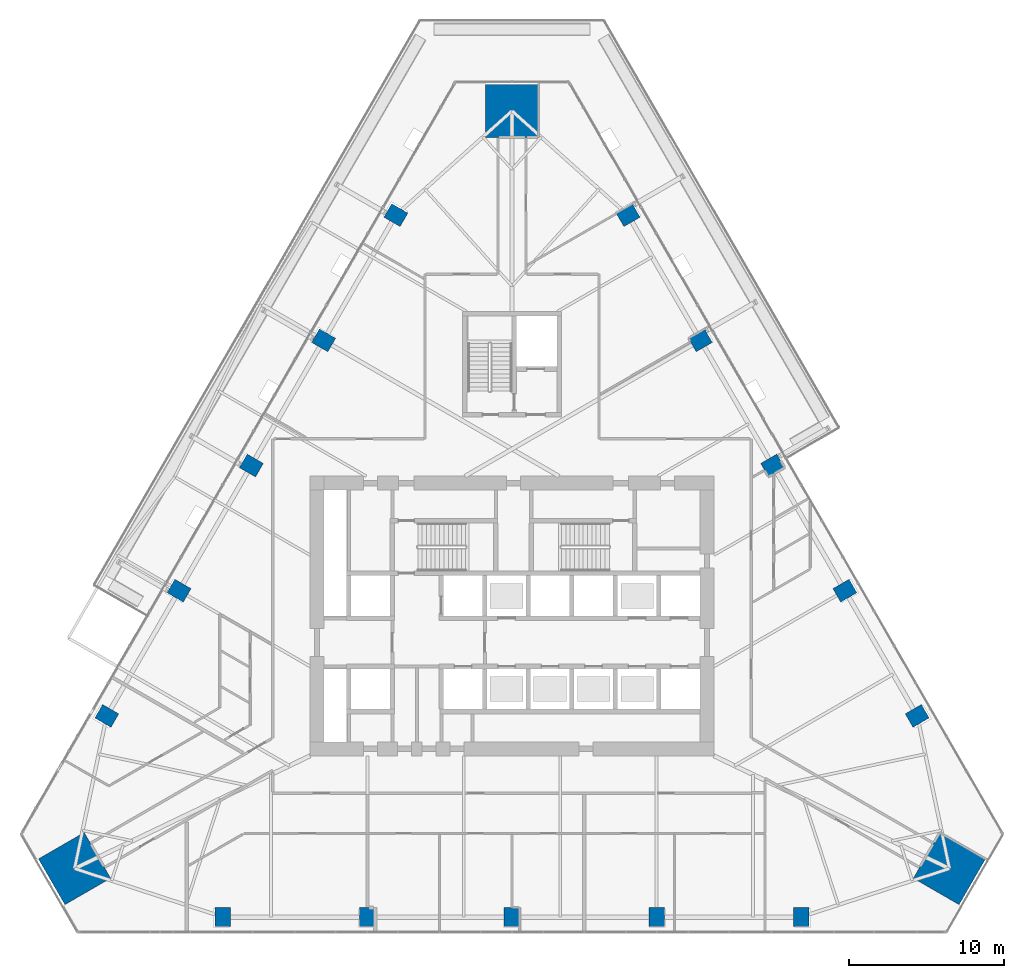
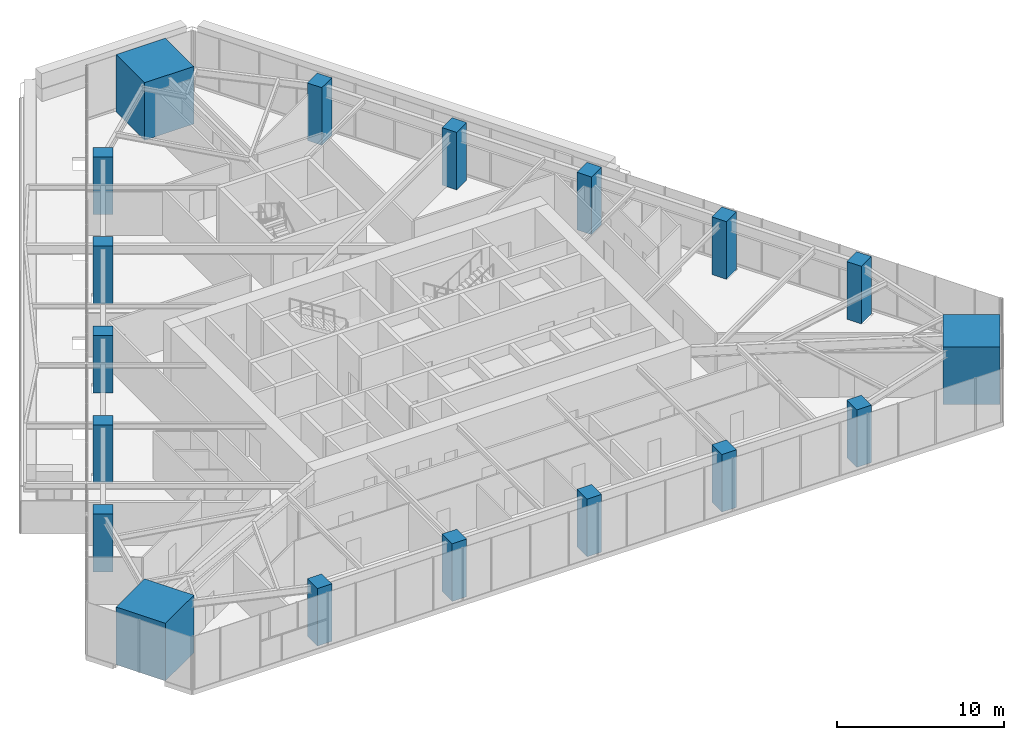
# One storey, part 1 of 26: 18 columns.
"""IFC4 building model written with IfcOpenShell, lengths in metres."""

from ifc_helpers import new_model, si_unit, direction, frame, origin, origin_2d, place, context, subcontext, project, spatial, rectangle, extrude, material, material_profile, profile_set, type_object, element, save


model = new_model("IFC4")

# Units and contexts
model_context = context("Model", 3, precision=1e-05, world=origin(), true_north=direction((0.0, 1.0)))
body_context = subcontext(model_context, "Body", "Model", "MODEL_VIEW")
ifc_project = project(units=[si_unit("LENGTHUNIT", "METRE"), si_unit("AREAUNIT", "SQUARE_METRE"), si_unit("VOLUMEUNIT", "CUBIC_METRE"), si_unit("PLANEANGLEUNIT", "RADIAN"), si_unit("MASSUNIT", "GRAM", prefix="KILO")], contexts=[model_context])

# Site, building, storey
site_placement = place(None, origin())
site = spatial("IfcSite", under=ifc_project, at=site_placement, CompositionType="ELEMENT")
building_placement = place(site_placement, origin())
building = spatial("IfcBuilding", under=site, at=building_placement, Name="Firuza Gate Tower and Library", CompositionType="ELEMENT")
storey_placement = place(building_placement, frame((0.0, 0.0, 115.60009765625)))
storey = spatial("IfcBuildingStorey", under=building, at=storey_placement, Name="L26", CompositionType="ELEMENT", Elevation=115.60009765625)

# Columns
ifc_material_1 = material(Name="Concrete C80/95", Category="concrete")
ifc_material_profile_1 = material_profile(ifc_material_1, rectangle(XDim=3.39990234375, YDim=3.39990234375, at=origin_2d()))
ifc_profile_set_1 = profile_set([ifc_material_profile_1], Name="Concrete C80/95")
column_type_1 = type_object("IfcColumnType", Name="Mega column 3400x3400 C80/95", PredefinedType="COLUMN", material=ifc_profile_set_1)
for number, where, z_axis, x_axis, name in (
    (1, (103.15625, 58.743896484375, 0.0), (0.0, 0.0, 1.0), (0.5, 0.866025403784, 0.0), "Mega column SE L26"),
    (2, (75.0, 107.51220703125, 0.0), (0.0, 0.0, 1.0), (-1.0, 0.0, 0.0), "Mega column N L26"),
    (3, (46.84375, 58.743896484375, 0.0), (0.0, 0.0, 1.0), (0.5, -0.866025403784, 0.0), "Mega column SW L26"),
):
    element("IfcColumn", number, at=place(storey_placement, frame(where, z_axis=z_axis, x_axis=x_axis)), inside=storey, type_object=column_type_1, Name=name, PredefinedType="COLUMN", context=body_context, shape_type="SweptSolid", body=[
        extrude(rectangle(XDim=3.39990234375, YDim=3.39990234375, at=origin_2d()), origin(), (0.0, 0.0, 1.0), 4.199951171875),
    ])
ifc_material_2 = material(Name="Concrete C60/75", Category="concrete")
ifc_material_profile_2 = material_profile(ifc_material_2, rectangle(XDim=1.0, YDim=1.199951171875, at=origin_2d()))
ifc_profile_set_2 = profile_set([ifc_material_profile_2], Name="Concrete C60/75")
column_type_2 = type_object("IfcColumnType", Name="Perimeter column 1000x1200 C60/75", PredefinedType="COLUMN", material=ifc_profile_set_2)
for number, where, z_axis, x_axis, name in (
    (4, (56.389892578125, 55.626220703125, -0.00048828125), (0.0, 0.0, 1.0), (1.0, 0.0, 0.0), "Column S1 L26"),
    (5, (65.69482421875, 55.626220703125, -0.00048828125), (0.0, 0.0, 1.0), (1.0, 0.0, 0.0), "Column S2 L26"),
    (6, (75.0, 55.626220703125, -0.00048828125), (0.0, 0.0, 1.0), (1.0, 0.0, 0.0), "Column S3 L26"),
    (7, (84.30517578125, 55.626220703125, -0.00048828125), (0.0, 0.0, 1.0), (1.0, 0.0, 0.0), "Column S4 L26"),
    (8, (93.610107421875, 55.626220703125, -0.00048828125), (0.0, 0.0, 1.0), (1.0, 0.0, 0.0), "Column S5 L26"),
    (9, (101.083251953125, 68.570068359375, -0.00048828125), (0.0, 0.0, 1.0), (-0.5, 0.866025403784, 0.0), "Column E1 L26"),
    (10, (96.4306640625, 76.62841796875, -0.00048828125), (0.0, 0.0, 1.0), (-0.5, 0.866025403784, 0.0), "Column E2 L26"),
    (11, (91.778076171875, 84.686767578125, -0.00048828125), (0.0, 0.0, 1.0), (-0.5, 0.866025403784, 0.0), "Column E3 L26"),
    (12, (87.125732421875, 92.745361328125, -0.00048828125), (0.0, 0.0, 1.0), (-0.5, 0.866025403784, 0.0), "Column E4 L26"),
    (13, (82.47314453125, 100.8037109375, -0.00048828125), (0.0, 0.0, 1.0), (-0.5, 0.866025403784, 0.0), "Column E5 L26"),
    (14, (67.52685546875, 100.8037109375, -0.00048828125), (0.0, 0.0, 1.0), (-0.5, -0.866025403784, 0.0), "Column W1 L26"),
    (15, (62.874267578125, 92.745361328125, -0.00048828125), (0.0, 0.0, 1.0), (-0.5, -0.866025403784, 0.0), "Column W2 L26"),
    (16, (58.221923828125, 84.686767578125, -0.00048828125), (0.0, 0.0, 1.0), (-0.5, -0.866025403784, 0.0), "Column W3 L26"),
    (17, (53.5693359375, 76.62841796875, -0.00048828125), (0.0, 0.0, 1.0), (-0.5, -0.866025403784, 0.0), "Column W4 L26"),
    (18, (48.916748046875, 68.570068359375, -0.00048828125), (0.0, 0.0, 1.0), (-0.5, -0.866025403784, 0.0), "Column W5 L26"),
):
    element("IfcColumn", number, at=place(storey_placement, frame(where, z_axis=z_axis, x_axis=x_axis)), inside=storey, type_object=column_type_2, Name=name, PredefinedType="COLUMN", context=body_context, shape_type="SweptSolid", body=[
        extrude(rectangle(XDim=1.0, YDim=1.199951171875, at=origin_2d()), origin(), (0.0, 0.0, 1.0), 4.200439453125),
    ])

save(model, "model.ifc")
